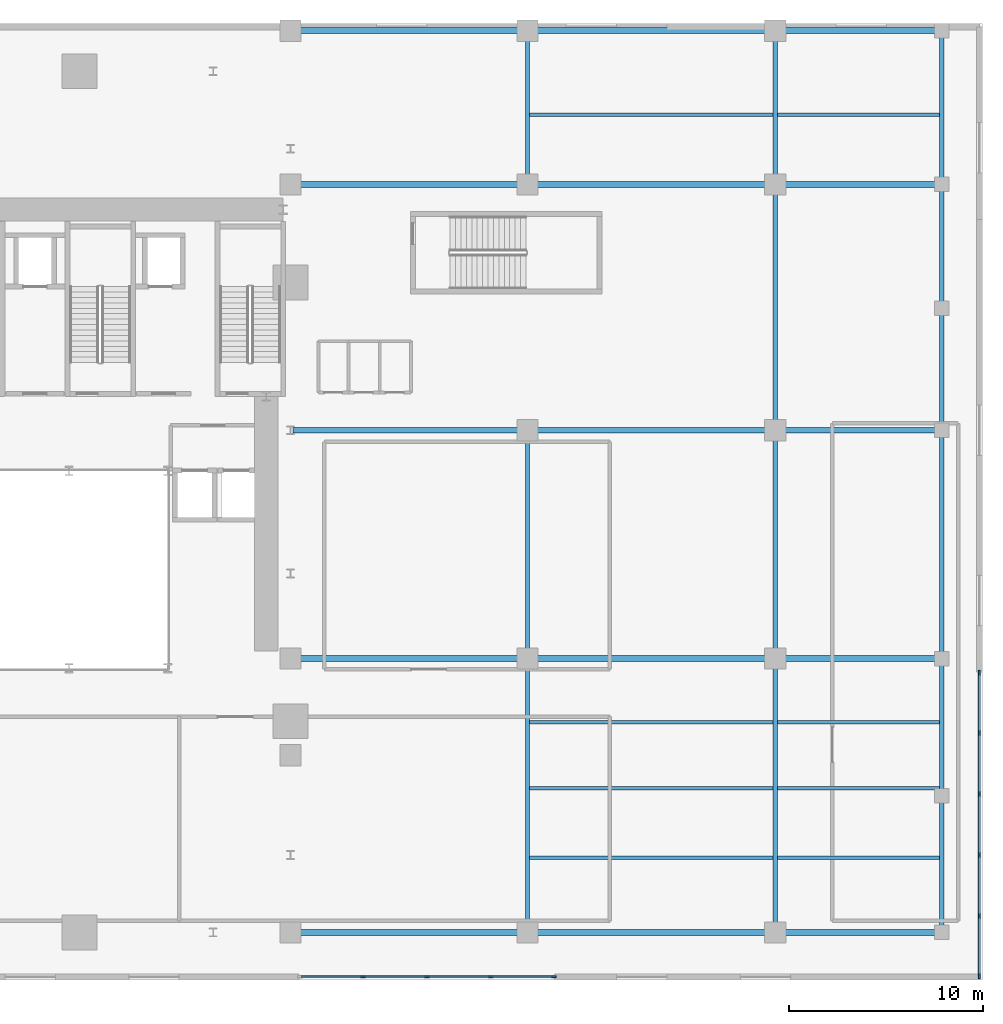
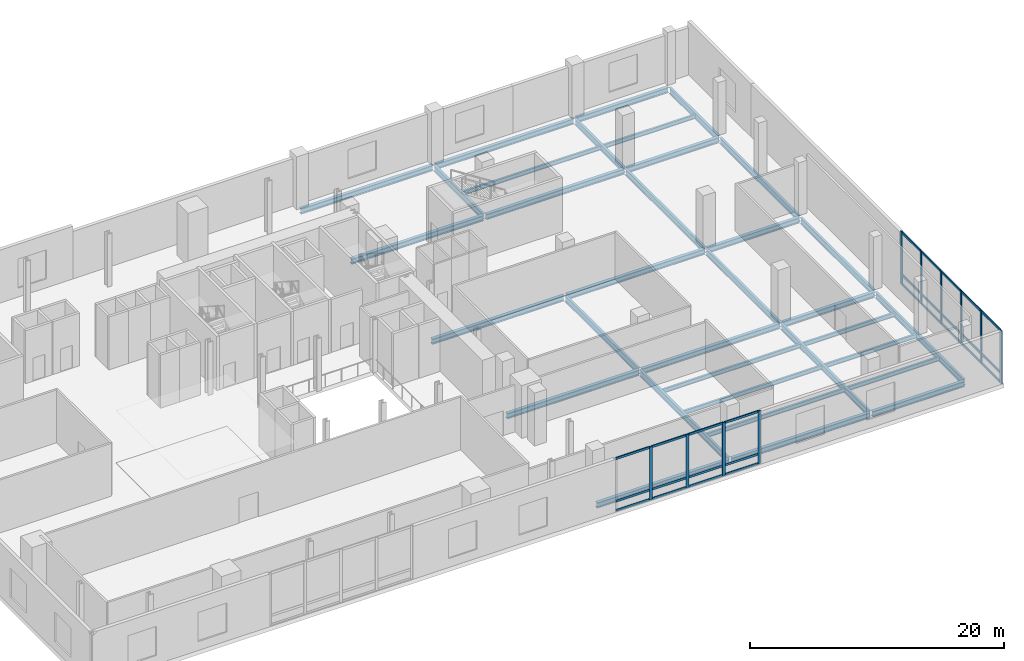
# One storey, part 4 of 12: 37 members, 34 beams, 2 elements without a shape of their own.
"""IFC4 building model written with IfcOpenShell, lengths in metres."""

from ifc_helpers import new_model, si_unit, direction, frame, origin, origin_2d, place, context, subcontext, project, spatial, rectangle, i_section, extrude, source, transform, mapped, material, material_profile, profile_set, type_object, element, aggregate, save


model = new_model("IFC4")

# Units and contexts
model_context = context("Model", 3, precision=1e-05, world=origin(), true_north=direction((0.0, 1.0)))
body_context = subcontext(model_context, "Body", "Model", "MODEL_VIEW")
ifc_project = project(units=[si_unit("LENGTHUNIT", "METRE"), si_unit("AREAUNIT", "SQUARE_METRE"), si_unit("VOLUMEUNIT", "CUBIC_METRE"), si_unit("PLANEANGLEUNIT", "RADIAN"), si_unit("MASSUNIT", "GRAM", prefix="KILO")], contexts=[model_context])

# Site, building, storey
site_placement = place(None, origin())
site = spatial("IfcSite", under=ifc_project, at=site_placement, CompositionType="ELEMENT")
building_placement = place(site_placement, origin())
building = spatial("IfcBuilding", under=site, at=building_placement, Name="Vardaveli Station Tower", CompositionType="ELEMENT")
storey_placement = place(building_placement, frame((0.0, 0.0, 17.0)))
storey = spatial("IfcBuildingStorey", under=building, at=storey_placement, Name="L04", CompositionType="ELEMENT", Elevation=17.0)

# Beams
ifc_material_1 = material(Name="Structural steel S355J2", Category="steel")
ifc_material_profile_1 = material_profile(ifc_material_1, i_section(OverallWidth=0.305908203125, OverallDepth=0.52392578125, WebThickness=0.02099609375, FlangeThickness=0.0400390625, FilletRadius=0.027099609375, at=origin_2d()), Name="HEM 500")
ifc_profile_set_1 = profile_set([ifc_material_profile_1], Name="Structural steel S355J2")
beam_type_1 = type_object("IfcBeamType", Name="BM-HEM500", PredefinedType="BEAM", material=ifc_profile_set_1)
shared_shape_1 = source(origin(), body_context, "Body", "SweptSolid", [
    extrude(i_section(OverallWidth=0.305908203125, OverallDepth=0.52392578125, WebThickness=0.02099609375, FlangeThickness=0.0400390625, FilletRadius=0.027099609375, at=origin_2d()), origin(), (0.0, 0.0, 1.0), 12.009765625),
])
for number, where, z_axis, x_axis, name in (
    (1, (47.8701171875, 2.949951171875, -0.662109375), (1.0, 0.0, 0.0), (0.0, 1.0, 0.0), "PBM-L04-EW0-0"),
    (2, (47.8701171875, 17.10009765625, -0.662109375), (1.0, 0.0, 0.0), (0.0, 1.0, 0.0), "PBM-L04-EW1-0"),
    (3, (47.8701171875, 28.89990234375, -0.662109375), (1.0, 0.0, 0.0), (0.0, 1.0, 0.0), "PBM-L04-EW2-0"),
    (4, (47.8701171875, 41.60009765625, -0.662109375), (1.0, 0.0, 0.0), (0.0, 1.0, 0.0), "PBM-L04-EW3-0"),
    (5, (47.8701171875, 49.550048828125, -0.662109375), (1.0, 0.0, 0.0), (0.0, 1.0, 0.0), "PBM-L04-EW4-0"),
):
    element("IfcBeam", number, at=place(storey_placement, frame(where, z_axis=z_axis, x_axis=x_axis)), inside=storey, type_object=beam_type_1, Name=name, PredefinedType="BEAM", context=body_context, shape_type="MappedRepresentation", body=[
        mapped(shared_shape_1, transform((0.0, 0.0, 0.0), scale=1.0)),
    ])
shared_shape_2 = source(origin(), body_context, "Body", "SweptSolid", [
    extrude(i_section(OverallWidth=0.305908203125, OverallDepth=0.52392578125, WebThickness=0.02099609375, FlangeThickness=0.0400390625, FilletRadius=0.027099609375, at=origin_2d()), origin(), (0.0, 0.0, 1.0), 12.559814453125),
])
for number, where, z_axis, x_axis, name in (
    (6, (60.1201171875, 2.949951171875, -0.662109375), (1.0, 0.0, 0.0), (0.0, 1.0, 0.0), "PBM-L04-EW0-1"),
    (7, (60.1201171875, 17.10009765625, -0.662109375), (1.0, 0.0, 0.0), (0.0, 1.0, 0.0), "PBM-L04-EW1-1"),
    (8, (60.1201171875, 28.89990234375, -0.662109375), (1.0, 0.0, 0.0), (0.0, 1.0, 0.0), "PBM-L04-EW2-1"),
    (9, (60.1201171875, 41.60009765625, -0.662109375), (1.0, 0.0, 0.0), (0.0, 1.0, 0.0), "PBM-L04-EW3-1"),
    (10, (60.1201171875, 49.550048828125, -0.662109375), (1.0, 0.0, 0.0), (0.0, 1.0, 0.0), "PBM-L04-EW4-1"),
):
    element("IfcBeam", number, at=place(storey_placement, frame(where, z_axis=z_axis, x_axis=x_axis)), inside=storey, type_object=beam_type_1, Name=name, PredefinedType="BEAM", context=body_context, shape_type="MappedRepresentation", body=[
        mapped(shared_shape_2, transform((0.0, 0.0, 0.0), scale=1.0)),
    ])
ifc_material_profile_2 = material_profile(ifc_material_1, i_section(OverallWidth=0.219970703125, OverallDepth=0.60009765625, WebThickness=0.011962890625, FlangeThickness=0.01904296875, FilletRadius=0.02392578125, at=origin_2d()), Name="IPE 600")
ifc_profile_set_2 = profile_set([ifc_material_profile_2], Name="Structural steel S355J2")
beam_type_2 = type_object("IfcBeamType", Name="BM-IPE600", PredefinedType="BEAM", material=ifc_profile_set_2)
shared_shape_3 = source(origin(), body_context, "Body", "SweptSolid", [
    extrude(i_section(OverallWidth=0.219970703125, OverallDepth=0.60009765625, WebThickness=0.011962890625, FlangeThickness=0.01904296875, FilletRadius=0.02392578125, at=origin_2d()), origin(), (0.0, 0.0, 1.0), 13.909912109375),
])
for number, where, z_axis, x_axis, name in (
    (11, (60.0, 3.070068359375, -0.699951171875), (0.0, 1.0, 0.0), (-1.0, 0.0, 0.0), "PBM-L04-NS0-0"),
    (12, (72.800048828125, 3.070068359375, -0.699951171875), (0.0, 1.0, 0.0), (-1.0, 0.0, 0.0), "PBM-L04-NS1-0"),
    (13, (81.39990234375, 3.070068359375, -0.699951171875), (0.0, 1.0, 0.0), (-1.0, 0.0, 0.0), "PBM-L04-NS2-0"),
):
    element("IfcBeam", number, at=place(storey_placement, frame(where, z_axis=z_axis, x_axis=x_axis)), inside=storey, type_object=beam_type_2, Name=name, PredefinedType="BEAM", context=body_context, shape_type="MappedRepresentation", body=[
        mapped(shared_shape_3, transform((0.0, 0.0, 0.0), scale=1.0)),
    ])
shared_shape_4 = source(origin(), body_context, "Body", "SweptSolid", [
    extrude(i_section(OverallWidth=0.219970703125, OverallDepth=0.60009765625, WebThickness=0.011962890625, FlangeThickness=0.01904296875, FilletRadius=0.02392578125, at=origin_2d()), origin(), (0.0, 0.0, 1.0), 11.56005859375),
])
for number, where, z_axis, x_axis, name in (
    (14, (60.0, 17.219970703125, -0.699951171875), (0.0, 1.0, 0.0), (-1.0, 0.0, 0.0), "PBM-L04-NS0-1"),
    (15, (72.800048828125, 17.219970703125, -0.699951171875), (0.0, 1.0, 0.0), (-1.0, 0.0, 0.0), "PBM-L04-NS1-1"),
    (16, (81.39990234375, 17.219970703125, -0.699951171875), (0.0, 1.0, 0.0), (-1.0, 0.0, 0.0), "PBM-L04-NS2-1"),
):
    element("IfcBeam", number, at=place(storey_placement, frame(where, z_axis=z_axis, x_axis=x_axis)), inside=storey, type_object=beam_type_2, Name=name, PredefinedType="BEAM", context=body_context, shape_type="MappedRepresentation", body=[
        mapped(shared_shape_4, transform((0.0, 0.0, 0.0), scale=1.0)),
    ])
shared_shape_5 = source(origin(), body_context, "Body", "SweptSolid", [
    extrude(i_section(OverallWidth=0.219970703125, OverallDepth=0.60009765625, WebThickness=0.011962890625, FlangeThickness=0.01904296875, FilletRadius=0.02392578125, at=origin_2d()), origin(), (0.0, 0.0, 1.0), 12.4599609375),
])
for number, where, z_axis, x_axis, name in (
    (17, (72.800048828125, 29.02001953125, -0.699951171875), (0.0, 1.0, 0.0), (-1.0, 0.0, 0.0), "PBM-L04-NS1-2"),
    (18, (81.39990234375, 29.02001953125, -0.699951171875), (0.0, 1.0, 0.0), (-1.0, 0.0, 0.0), "PBM-L04-NS2-2"),
):
    element("IfcBeam", number, at=place(storey_placement, frame(where, z_axis=z_axis, x_axis=x_axis)), inside=storey, type_object=beam_type_2, Name=name, PredefinedType="BEAM", context=body_context, shape_type="MappedRepresentation", body=[
        mapped(shared_shape_5, transform((0.0, 0.0, 0.0), scale=1.0)),
    ])
shared_shape_6 = source(origin(), body_context, "Body", "SweptSolid", [
    extrude(i_section(OverallWidth=0.219970703125, OverallDepth=0.60009765625, WebThickness=0.011962890625, FlangeThickness=0.01904296875, FilletRadius=0.02392578125, at=origin_2d()), origin(), (0.0, 0.0, 1.0), 7.7099609375),
])
for number, where, z_axis, x_axis, name in (
    (19, (60.0, 41.719970703125, -0.699951171875), (0.0, 1.0, 0.0), (-1.0, 0.0, 0.0), "PBM-L04-NS0-3"),
    (20, (72.800048828125, 41.719970703125, -0.699951171875), (0.0, 1.0, 0.0), (-1.0, 0.0, 0.0), "PBM-L04-NS1-3"),
    (21, (81.39990234375, 41.719970703125, -0.699951171875), (0.0, 1.0, 0.0), (-1.0, 0.0, 0.0), "PBM-L04-NS2-3"),
):
    element("IfcBeam", number, at=place(storey_placement, frame(where, z_axis=z_axis, x_axis=x_axis)), inside=storey, type_object=beam_type_2, Name=name, PredefinedType="BEAM", context=body_context, shape_type="MappedRepresentation", body=[
        mapped(shared_shape_6, transform((0.0, 0.0, 0.0), scale=1.0)),
    ])
ifc_material_profile_3 = material_profile(ifc_material_1, i_section(OverallWidth=0.179931640625, OverallDepth=0.39990234375, WebThickness=0.008544921875, FlangeThickness=0.013427734375, FilletRadius=0.02099609375, at=origin_2d()), Name="IPE 400")
ifc_profile_set_3 = profile_set([ifc_material_profile_3], Name="Structural steel S355J2")
beam_type_3 = type_object("IfcBeamType", Name="BM-IPE400", PredefinedType="JOIST", material=ifc_profile_set_3)
shared_shape_7 = source(origin(), body_context, "Body", "SweptSolid", [
    extrude(i_section(OverallWidth=0.179931640625, OverallDepth=0.39990234375, WebThickness=0.008544921875, FlangeThickness=0.013427734375, FilletRadius=0.02099609375, at=origin_2d()), origin(), (0.0, 0.0, 1.0), 12.575927734375),
])
for number, where, z_axis, x_axis, name in (
    (22, (60.112060546875, 6.800048828125, -0.60009765625), (1.0, 0.0, 0.0), (0.0, 1.0, 0.0), "PJ-L04-1-0"),
    (23, (60.112060546875, 10.39990234375, -0.60009765625), (1.0, 0.0, 0.0), (0.0, 1.0, 0.0), "PJ-L04-2-0"),
    (24, (60.112060546875, 13.800048828125, -0.60009765625), (1.0, 0.0, 0.0), (0.0, 1.0, 0.0), "PJ-L04-3-0"),
    (25, (60.112060546875, 45.199951171875, -0.60009765625), (1.0, 0.0, 0.0), (0.0, 1.0, 0.0), "PJ-L04-4-0"),
):
    element("IfcBeam", number, at=place(storey_placement, frame(where, z_axis=z_axis, x_axis=x_axis)), inside=storey, type_object=beam_type_3, Name=name, PredefinedType="JOIST", context=body_context, shape_type="MappedRepresentation", body=[
        mapped(shared_shape_7, transform((0.0, 0.0, 0.0), scale=1.0)),
    ])
shared_shape_8 = source(origin(), body_context, "Body", "SweptSolid", [
    extrude(i_section(OverallWidth=0.305908203125, OverallDepth=0.52392578125, WebThickness=0.02099609375, FlangeThickness=0.0400390625, FilletRadius=0.027099609375, at=origin_2d()), origin(), (0.0, 0.0, 1.0), 8.360107421875),
])
for number, where, z_axis, x_axis, name in (
    (26, (72.919921875, 2.949951171875, -0.662109375), (1.0, 0.0, 0.0), (0.0, 1.0, 0.0), "PBM-L04-EW0-2"),
    (27, (72.919921875, 17.10009765625, -0.662109375), (1.0, 0.0, 0.0), (0.0, 1.0, 0.0), "PBM-L04-EW1-2"),
    (28, (72.919921875, 28.89990234375, -0.662109375), (1.0, 0.0, 0.0), (0.0, 1.0, 0.0), "PBM-L04-EW2-2"),
    (29, (72.919921875, 41.60009765625, -0.662109375), (1.0, 0.0, 0.0), (0.0, 1.0, 0.0), "PBM-L04-EW3-2"),
    (30, (72.919921875, 49.550048828125, -0.662109375), (1.0, 0.0, 0.0), (0.0, 1.0, 0.0), "PBM-L04-EW4-2"),
):
    element("IfcBeam", number, at=place(storey_placement, frame(where, z_axis=z_axis, x_axis=x_axis)), inside=storey, type_object=beam_type_1, Name=name, PredefinedType="BEAM", context=body_context, shape_type="MappedRepresentation", body=[
        mapped(shared_shape_8, transform((0.0, 0.0, 0.0), scale=1.0)),
    ])
shared_shape_9 = source(origin(), body_context, "Body", "SweptSolid", [
    extrude(i_section(OverallWidth=0.179931640625, OverallDepth=0.39990234375, WebThickness=0.008544921875, FlangeThickness=0.013427734375, FilletRadius=0.02099609375, at=origin_2d()), origin(), (0.0, 0.0, 1.0), 8.3759765625),
])
for number, where, z_axis, x_axis, name in (
    (31, (72.912109375, 6.800048828125, -0.60009765625), (1.0, 0.0, 0.0), (0.0, 1.0, 0.0), "PJ-L04-1-1"),
    (32, (72.912109375, 10.39990234375, -0.60009765625), (1.0, 0.0, 0.0), (0.0, 1.0, 0.0), "PJ-L04-2-1"),
    (33, (72.912109375, 13.800048828125, -0.60009765625), (1.0, 0.0, 0.0), (0.0, 1.0, 0.0), "PJ-L04-3-1"),
    (34, (72.912109375, 45.199951171875, -0.60009765625), (1.0, 0.0, 0.0), (0.0, 1.0, 0.0), "PJ-L04-4-1"),
):
    element("IfcBeam", number, at=place(storey_placement, frame(where, z_axis=z_axis, x_axis=x_axis)), inside=storey, type_object=beam_type_3, Name=name, PredefinedType="JOIST", context=body_context, shape_type="MappedRepresentation", body=[
        mapped(shared_shape_9, transform((0.0, 0.0, 0.0), scale=1.0)),
    ])

# Curtain wall, members
ifc_material_2 = material(Name="Travertine stone and solar-control glass", Category="masonry")
curtain_wall_type = type_object("IfcCurtainWallType", Name="CW-SYS-1", PredefinedType="NOTDEFINED", material=ifc_material_2)
curtain_wall_1_placement = place(storey_placement, origin())
curtain_wall_1 = element("IfcCurtainWall", 35, at=curtain_wall_1_placement, inside=storey, type_object=curtain_wall_type, Name="CW-L04-S4", PredefinedType="NOTDEFINED")
ifc_material_3 = material(Name="Anodised aluminium alloy 6063-T6", Category="aluminium")
ifc_material_profile_4 = material_profile(ifc_material_3, rectangle(XDim=0.094970703125, YDim=0.2099609375, at=origin_2d()), Name="CWT 95x210")
ifc_profile_set_4 = profile_set([ifc_material_profile_4], Name="Anodised aluminium alloy 6063-T6")
member_type_1 = type_object("IfcMemberType", Name="CW-SYS-1-TRAN", PredefinedType="NOTDEFINED", material=ifc_profile_set_4)
shared_shape_10 = source(origin(), body_context, "Body", "SweptSolid", [
    extrude(rectangle(XDim=0.094970703125, YDim=0.2099609375, at=origin_2d()), origin(), (0.0, 0.0, 1.0), 3.157470703125),
])
member_1_placement = place(storey_placement, frame((48.294921875, 0.64990234375, 0.047607421875), z_axis=(1.0, 0.0, 0.0), x_axis=(0.0, 1.0, 0.0)))
member_1 = element("IfcMember", 36, at=member_1_placement, type_object=member_type_1, Name="CW-1 transom 1.1", ObjectType="TRANSOM", PredefinedType="USERDEFINED", context=body_context, shape_type="MappedRepresentation", body=[
    mapped(shared_shape_10, transform((0.0, 0.0, 0.0), scale=1.0)),
])
member_2_placement = place(storey_placement, frame((48.294921875, 0.64990234375, 0.949951171875), z_axis=(1.0, 0.0, 0.0), x_axis=(0.0, 1.0, 0.0)))
member_2 = element("IfcMember", 37, at=member_2_placement, type_object=member_type_1, Name="CW-1 transom 1.2", ObjectType="TRANSOM", PredefinedType="USERDEFINED", context=body_context, shape_type="MappedRepresentation", body=[
    mapped(shared_shape_10, transform((0.0, 0.0, 0.0), scale=1.0)),
])
member_3_placement = place(storey_placement, frame((48.294921875, 0.64990234375, 5.032470703125), z_axis=(1.0, 0.0, 0.0), x_axis=(0.0, 1.0, 0.0)))
member_3 = element("IfcMember", 38, at=member_3_placement, type_object=member_type_1, Name="CW-1 transom 1.3", ObjectType="TRANSOM", PredefinedType="USERDEFINED", context=body_context, shape_type="MappedRepresentation", body=[
    mapped(shared_shape_10, transform((0.0, 0.0, 0.0), scale=1.0)),
])
member_4_placement = place(storey_placement, frame((58.1474609375, 0.64990234375, 0.047607421875), z_axis=(1.0, 0.0, 0.0), x_axis=(0.0, 1.0, 0.0)))
member_4 = element("IfcMember", 39, at=member_4_placement, type_object=member_type_1, Name="CW-1 transom 4.1", ObjectType="TRANSOM", PredefinedType="USERDEFINED", context=body_context, shape_type="MappedRepresentation", body=[
    mapped(shared_shape_10, transform((0.0, 0.0, 0.0), scale=1.0)),
])
member_5_placement = place(storey_placement, frame((58.1474609375, 0.64990234375, 0.949951171875), z_axis=(1.0, 0.0, 0.0), x_axis=(0.0, 1.0, 0.0)))
member_5 = element("IfcMember", 40, at=member_5_placement, type_object=member_type_1, Name="CW-1 transom 4.2", ObjectType="TRANSOM", PredefinedType="USERDEFINED", context=body_context, shape_type="MappedRepresentation", body=[
    mapped(shared_shape_10, transform((0.0, 0.0, 0.0), scale=1.0)),
])
member_6_placement = place(storey_placement, frame((58.1474609375, 0.64990234375, 5.032470703125), z_axis=(1.0, 0.0, 0.0), x_axis=(0.0, 1.0, 0.0)))
member_6 = element("IfcMember", 41, at=member_6_placement, type_object=member_type_1, Name="CW-1 transom 4.3", ObjectType="TRANSOM", PredefinedType="USERDEFINED", context=body_context, shape_type="MappedRepresentation", body=[
    mapped(shared_shape_10, transform((0.0, 0.0, 0.0), scale=1.0)),
])
shared_shape_11 = source(origin(), body_context, "Body", "SweptSolid", [
    extrude(rectangle(XDim=0.094970703125, YDim=0.2099609375, at=origin_2d()), origin(), (0.0, 0.0, 1.0), 3.204833984375),
])
member_7_placement = place(storey_placement, frame((51.547607421875, 0.64990234375, 0.047607421875), z_axis=(1.0, 0.0, 0.0), x_axis=(0.0, 1.0, 0.0)))
member_7 = element("IfcMember", 42, at=member_7_placement, type_object=member_type_1, Name="CW-1 transom 2.1", ObjectType="TRANSOM", PredefinedType="USERDEFINED", context=body_context, shape_type="MappedRepresentation", body=[
    mapped(shared_shape_11, transform((0.0, 0.0, 0.0), scale=1.0)),
])
member_8_placement = place(storey_placement, frame((51.547607421875, 0.64990234375, 0.949951171875), z_axis=(1.0, 0.0, 0.0), x_axis=(0.0, 1.0, 0.0)))
member_8 = element("IfcMember", 43, at=member_8_placement, type_object=member_type_1, Name="CW-1 transom 2.2", ObjectType="TRANSOM", PredefinedType="USERDEFINED", context=body_context, shape_type="MappedRepresentation", body=[
    mapped(shared_shape_11, transform((0.0, 0.0, 0.0), scale=1.0)),
])
member_9_placement = place(storey_placement, frame((51.547607421875, 0.64990234375, 5.032470703125), z_axis=(1.0, 0.0, 0.0), x_axis=(0.0, 1.0, 0.0)))
member_9 = element("IfcMember", 44, at=member_9_placement, type_object=member_type_1, Name="CW-1 transom 2.3", ObjectType="TRANSOM", PredefinedType="USERDEFINED", context=body_context, shape_type="MappedRepresentation", body=[
    mapped(shared_shape_11, transform((0.0, 0.0, 0.0), scale=1.0)),
])
shared_shape_12 = source(origin(), body_context, "Body", "SweptSolid", [
    extrude(rectangle(XDim=0.094970703125, YDim=0.2099609375, at=origin_2d()), origin(), (0.0, 0.0, 1.0), 3.205078125),
])
member_10_placement = place(storey_placement, frame((54.847412109375, 0.64990234375, 0.047607421875), z_axis=(1.0, 0.0, 0.0), x_axis=(0.0, 1.0, 0.0)))
member_10 = element("IfcMember", 45, at=member_10_placement, type_object=member_type_1, Name="CW-1 transom 3.1", ObjectType="TRANSOM", PredefinedType="USERDEFINED", context=body_context, shape_type="MappedRepresentation", body=[
    mapped(shared_shape_12, transform((0.0, 0.0, 0.0), scale=1.0)),
])
member_11_placement = place(storey_placement, frame((54.847412109375, 0.64990234375, 0.949951171875), z_axis=(1.0, 0.0, 0.0), x_axis=(0.0, 1.0, 0.0)))
member_11 = element("IfcMember", 46, at=member_11_placement, type_object=member_type_1, Name="CW-1 transom 3.2", ObjectType="TRANSOM", PredefinedType="USERDEFINED", context=body_context, shape_type="MappedRepresentation", body=[
    mapped(shared_shape_12, transform((0.0, 0.0, 0.0), scale=1.0)),
])
member_12_placement = place(storey_placement, frame((54.847412109375, 0.64990234375, 5.032470703125), z_axis=(1.0, 0.0, 0.0), x_axis=(0.0, 1.0, 0.0)))
member_12 = element("IfcMember", 47, at=member_12_placement, type_object=member_type_1, Name="CW-1 transom 3.3", ObjectType="TRANSOM", PredefinedType="USERDEFINED", context=body_context, shape_type="MappedRepresentation", body=[
    mapped(shared_shape_12, transform((0.0, 0.0, 0.0), scale=1.0)),
])

curtain_wall_2_placement = place(storey_placement, origin())
curtain_wall_2 = element("IfcCurtainWall", 48, at=curtain_wall_2_placement, inside=storey, type_object=curtain_wall_type, Name="CW-L04-E1", PredefinedType="NOTDEFINED")
shared_shape_13 = source(origin(), body_context, "Body", "SweptSolid", [
    extrude(rectangle(XDim=0.094970703125, YDim=0.2099609375, at=origin_2d()), origin(), (0.0, 0.0, 1.0), 3.00732421875),
])
member_13_placement = place(storey_placement, frame((83.35009765625, 0.7451171875, 0.047607421875), z_axis=(0.0, 1.0, 0.0), x_axis=(-1.0, 0.0, 0.0)))
member_13 = element("IfcMember", 49, at=member_13_placement, type_object=member_type_1, Name="CW-1 transom 1.1", ObjectType="TRANSOM", PredefinedType="USERDEFINED", context=body_context, shape_type="MappedRepresentation", body=[
    mapped(shared_shape_13, transform((0.0, 0.0, 0.0), scale=1.0)),
])
member_14_placement = place(storey_placement, frame((83.35009765625, 0.7451171875, 0.949951171875), z_axis=(0.0, 1.0, 0.0), x_axis=(-1.0, 0.0, 0.0)))
member_14 = element("IfcMember", 50, at=member_14_placement, type_object=member_type_1, Name="CW-1 transom 1.2", ObjectType="TRANSOM", PredefinedType="USERDEFINED", context=body_context, shape_type="MappedRepresentation", body=[
    mapped(shared_shape_13, transform((0.0, 0.0, 0.0), scale=1.0)),
])
member_15_placement = place(storey_placement, frame((83.35009765625, 0.7451171875, 5.032470703125), z_axis=(0.0, 1.0, 0.0), x_axis=(-1.0, 0.0, 0.0)))
member_15 = element("IfcMember", 51, at=member_15_placement, type_object=member_type_1, Name="CW-1 transom 1.3", ObjectType="TRANSOM", PredefinedType="USERDEFINED", context=body_context, shape_type="MappedRepresentation", body=[
    mapped(shared_shape_13, transform((0.0, 0.0, 0.0), scale=1.0)),
])
member_16_placement = place(storey_placement, frame((83.35009765625, 13.297607421875, 0.047607421875), z_axis=(0.0, 1.0, 0.0), x_axis=(-1.0, 0.0, 0.0)))
member_16 = element("IfcMember", 52, at=member_16_placement, type_object=member_type_1, Name="CW-1 transom 5.1", ObjectType="TRANSOM", PredefinedType="USERDEFINED", context=body_context, shape_type="MappedRepresentation", body=[
    mapped(shared_shape_13, transform((0.0, 0.0, 0.0), scale=1.0)),
])
member_17_placement = place(storey_placement, frame((83.35009765625, 13.297607421875, 0.949951171875), z_axis=(0.0, 1.0, 0.0), x_axis=(-1.0, 0.0, 0.0)))
member_17 = element("IfcMember", 53, at=member_17_placement, type_object=member_type_1, Name="CW-1 transom 5.2", ObjectType="TRANSOM", PredefinedType="USERDEFINED", context=body_context, shape_type="MappedRepresentation", body=[
    mapped(shared_shape_13, transform((0.0, 0.0, 0.0), scale=1.0)),
])
member_18_placement = place(storey_placement, frame((83.35009765625, 13.297607421875, 5.032470703125), z_axis=(0.0, 1.0, 0.0), x_axis=(-1.0, 0.0, 0.0)))
member_18 = element("IfcMember", 54, at=member_18_placement, type_object=member_type_1, Name="CW-1 transom 5.3", ObjectType="TRANSOM", PredefinedType="USERDEFINED", context=body_context, shape_type="MappedRepresentation", body=[
    mapped(shared_shape_13, transform((0.0, 0.0, 0.0), scale=1.0)),
])
shared_shape_14 = source(origin(), body_context, "Body", "SweptSolid", [
    extrude(rectangle(XDim=0.094970703125, YDim=0.2099609375, at=origin_2d()), origin(), (0.0, 0.0, 1.0), 3.05517578125),
])
member_19_placement = place(storey_placement, frame((83.35009765625, 3.847412109375, 0.047607421875), z_axis=(0.0, 1.0, 0.0), x_axis=(-1.0, 0.0, 0.0)))
member_19 = element("IfcMember", 55, at=member_19_placement, type_object=member_type_1, Name="CW-1 transom 2.1", ObjectType="TRANSOM", PredefinedType="USERDEFINED", context=body_context, shape_type="MappedRepresentation", body=[
    mapped(shared_shape_14, transform((0.0, 0.0, 0.0), scale=1.0)),
])
member_20_placement = place(storey_placement, frame((83.35009765625, 3.847412109375, 0.949951171875), z_axis=(0.0, 1.0, 0.0), x_axis=(-1.0, 0.0, 0.0)))
member_20 = element("IfcMember", 56, at=member_20_placement, type_object=member_type_1, Name="CW-1 transom 2.2", ObjectType="TRANSOM", PredefinedType="USERDEFINED", context=body_context, shape_type="MappedRepresentation", body=[
    mapped(shared_shape_14, transform((0.0, 0.0, 0.0), scale=1.0)),
])
member_21_placement = place(storey_placement, frame((83.35009765625, 3.847412109375, 5.032470703125), z_axis=(0.0, 1.0, 0.0), x_axis=(-1.0, 0.0, 0.0)))
member_21 = element("IfcMember", 57, at=member_21_placement, type_object=member_type_1, Name="CW-1 transom 2.3", ObjectType="TRANSOM", PredefinedType="USERDEFINED", context=body_context, shape_type="MappedRepresentation", body=[
    mapped(shared_shape_14, transform((0.0, 0.0, 0.0), scale=1.0)),
])
shared_shape_15 = source(origin(), body_context, "Body", "SweptSolid", [
    extrude(rectangle(XDim=0.094970703125, YDim=0.2099609375, at=origin_2d()), origin(), (0.0, 0.0, 1.0), 3.054931640625),
])
member_22_placement = place(storey_placement, frame((83.35009765625, 6.99755859375, 0.047607421875), z_axis=(0.0, 1.0, 0.0), x_axis=(-1.0, 0.0, 0.0)))
member_22 = element("IfcMember", 58, at=member_22_placement, type_object=member_type_1, Name="CW-1 transom 3.1", ObjectType="TRANSOM", PredefinedType="USERDEFINED", context=body_context, shape_type="MappedRepresentation", body=[
    mapped(shared_shape_15, transform((0.0, 0.0, 0.0), scale=1.0)),
])
member_23_placement = place(storey_placement, frame((83.35009765625, 6.99755859375, 0.949951171875), z_axis=(0.0, 1.0, 0.0), x_axis=(-1.0, 0.0, 0.0)))
member_23 = element("IfcMember", 59, at=member_23_placement, type_object=member_type_1, Name="CW-1 transom 3.2", ObjectType="TRANSOM", PredefinedType="USERDEFINED", context=body_context, shape_type="MappedRepresentation", body=[
    mapped(shared_shape_15, transform((0.0, 0.0, 0.0), scale=1.0)),
])
member_24_placement = place(storey_placement, frame((83.35009765625, 6.99755859375, 5.032470703125), z_axis=(0.0, 1.0, 0.0), x_axis=(-1.0, 0.0, 0.0)))
member_24 = element("IfcMember", 60, at=member_24_placement, type_object=member_type_1, Name="CW-1 transom 3.3", ObjectType="TRANSOM", PredefinedType="USERDEFINED", context=body_context, shape_type="MappedRepresentation", body=[
    mapped(shared_shape_15, transform((0.0, 0.0, 0.0), scale=1.0)),
])
member_25_placement = place(storey_placement, frame((83.35009765625, 10.1474609375, 0.047607421875), z_axis=(0.0, 1.0, 0.0), x_axis=(-1.0, 0.0, 0.0)))
member_25 = element("IfcMember", 61, at=member_25_placement, type_object=member_type_1, Name="CW-1 transom 4.1", ObjectType="TRANSOM", PredefinedType="USERDEFINED", context=body_context, shape_type="MappedRepresentation", body=[
    mapped(shared_shape_15, transform((0.0, 0.0, 0.0), scale=1.0)),
])
member_26_placement = place(storey_placement, frame((83.35009765625, 10.1474609375, 0.949951171875), z_axis=(0.0, 1.0, 0.0), x_axis=(-1.0, 0.0, 0.0)))
member_26 = element("IfcMember", 62, at=member_26_placement, type_object=member_type_1, Name="CW-1 transom 4.2", ObjectType="TRANSOM", PredefinedType="USERDEFINED", context=body_context, shape_type="MappedRepresentation", body=[
    mapped(shared_shape_15, transform((0.0, 0.0, 0.0), scale=1.0)),
])
member_27_placement = place(storey_placement, frame((83.35009765625, 10.1474609375, 5.032470703125), z_axis=(0.0, 1.0, 0.0), x_axis=(-1.0, 0.0, 0.0)))
member_27 = element("IfcMember", 63, at=member_27_placement, type_object=member_type_1, Name="CW-1 transom 4.3", ObjectType="TRANSOM", PredefinedType="USERDEFINED", context=body_context, shape_type="MappedRepresentation", body=[
    mapped(shared_shape_15, transform((0.0, 0.0, 0.0), scale=1.0)),
])

# Member
ifc_material_profile_5 = material_profile(ifc_material_3, rectangle(XDim=0.094970703125, YDim=0.27001953125, at=origin_2d()), Name="CWM 95x270")
ifc_profile_set_5 = profile_set([ifc_material_profile_5], Name="Anodised aluminium alloy 6063-T6")
member_type_2 = type_object("IfcMemberType", Name="CW-SYS-1-MULL", PredefinedType="MULLION", material=ifc_profile_set_5)
shared_shape_16 = source(origin(), body_context, "Body", "SweptSolid", [
    extrude(rectangle(XDim=0.094970703125, YDim=0.27001953125, at=origin_2d()), origin(), (0.0, 0.0, 1.0), 5.080078125),
])
member_28_placement = place(storey_placement, frame((51.5, 0.64990234375, 0.0), z_axis=(0.0, 0.0, 1.0), x_axis=(0.0, 1.0, 0.0)))
member_28 = element("IfcMember", 64, at=member_28_placement, type_object=member_type_2, Name="CW-1 mullion 2", PredefinedType="MULLION", context=body_context, shape_type="MappedRepresentation", body=[
    mapped(shared_shape_16, transform((0.0, 0.0, 0.0), scale=1.0)),
])

member_29_placement = place(storey_placement, frame((54.800048828125, 0.64990234375, 0.0), z_axis=(0.0, 0.0, 1.0), x_axis=(0.0, 1.0, 0.0)))
member_29 = element("IfcMember", 65, at=member_29_placement, type_object=member_type_2, Name="CW-1 mullion 3", PredefinedType="MULLION", context=body_context, shape_type="MappedRepresentation", body=[
    mapped(shared_shape_16, transform((0.0, 0.0, 0.0), scale=1.0)),
])

member_30_placement = place(storey_placement, frame((58.10009765625, 0.64990234375, 0.0), z_axis=(0.0, 0.0, 1.0), x_axis=(0.0, 1.0, 0.0)))
member_30 = element("IfcMember", 66, at=member_30_placement, type_object=member_type_2, Name="CW-1 mullion 4", PredefinedType="MULLION", context=body_context, shape_type="MappedRepresentation", body=[
    mapped(shared_shape_16, transform((0.0, 0.0, 0.0), scale=1.0)),
])

member_31_placement = place(storey_placement, frame((61.3525390625, 0.64990234375, 0.0), z_axis=(0.0, 0.0, 1.0), x_axis=(0.0, 1.0, 0.0)))
member_31 = element("IfcMember", 67, at=member_31_placement, type_object=member_type_2, Name="CW-1 mullion 5", PredefinedType="MULLION", context=body_context, shape_type="MappedRepresentation", body=[
    mapped(shared_shape_16, transform((0.0, 0.0, 0.0), scale=1.0)),
])

aggregate(curtain_wall_1, [member_28, member_29, member_30, member_31, member_1, member_2, member_3, member_7, member_8, member_9, member_10, member_11, member_12, member_4, member_5, member_6])

member_32_placement = place(storey_placement, frame((83.35009765625, 0.697509765625, 0.0), z_axis=(0.0, 0.0, 1.0), x_axis=(-1.0, 0.0, 0.0)))
member_32 = element("IfcMember", 68, at=member_32_placement, type_object=member_type_2, Name="CW-1 mullion 1", PredefinedType="MULLION", context=body_context, shape_type="MappedRepresentation", body=[
    mapped(shared_shape_16, transform((0.0, 0.0, 0.0), scale=1.0)),
])

member_33_placement = place(storey_placement, frame((83.35009765625, 3.800048828125, 0.0), z_axis=(0.0, 0.0, 1.0), x_axis=(-1.0, 0.0, 0.0)))
member_33 = element("IfcMember", 69, at=member_33_placement, type_object=member_type_2, Name="CW-1 mullion 2", PredefinedType="MULLION", context=body_context, shape_type="MappedRepresentation", body=[
    mapped(shared_shape_16, transform((0.0, 0.0, 0.0), scale=1.0)),
])

member_34_placement = place(storey_placement, frame((83.35009765625, 6.949951171875, 0.0), z_axis=(0.0, 0.0, 1.0), x_axis=(-1.0, 0.0, 0.0)))
member_34 = element("IfcMember", 70, at=member_34_placement, type_object=member_type_2, Name="CW-1 mullion 3", PredefinedType="MULLION", context=body_context, shape_type="MappedRepresentation", body=[
    mapped(shared_shape_16, transform((0.0, 0.0, 0.0), scale=1.0)),
])

member_35_placement = place(storey_placement, frame((83.35009765625, 10.10009765625, 0.0), z_axis=(0.0, 0.0, 1.0), x_axis=(-1.0, 0.0, 0.0)))
member_35 = element("IfcMember", 71, at=member_35_placement, type_object=member_type_2, Name="CW-1 mullion 4", PredefinedType="MULLION", context=body_context, shape_type="MappedRepresentation", body=[
    mapped(shared_shape_16, transform((0.0, 0.0, 0.0), scale=1.0)),
])

member_36_placement = place(storey_placement, frame((83.35009765625, 13.25, 0.0), z_axis=(0.0, 0.0, 1.0), x_axis=(-1.0, 0.0, 0.0)))
member_36 = element("IfcMember", 72, at=member_36_placement, type_object=member_type_2, Name="CW-1 mullion 5", PredefinedType="MULLION", context=body_context, shape_type="MappedRepresentation", body=[
    mapped(shared_shape_16, transform((0.0, 0.0, 0.0), scale=1.0)),
])

member_37_placement = place(storey_placement, frame((83.35009765625, 16.3525390625, 0.0), z_axis=(0.0, 0.0, 1.0), x_axis=(-1.0, 0.0, 0.0)))
member_37 = element("IfcMember", 73, at=member_37_placement, type_object=member_type_2, Name="CW-1 mullion 6", PredefinedType="MULLION", context=body_context, shape_type="MappedRepresentation", body=[
    mapped(shared_shape_16, transform((0.0, 0.0, 0.0), scale=1.0)),
])

aggregate(curtain_wall_2, [member_32, member_33, member_34, member_35, member_36, member_37, member_13, member_14, member_15, member_19, member_20, member_21, member_22, member_23, member_24, member_25, member_26, member_27, member_16, member_17, member_18])

save(model, "model.ifc")
